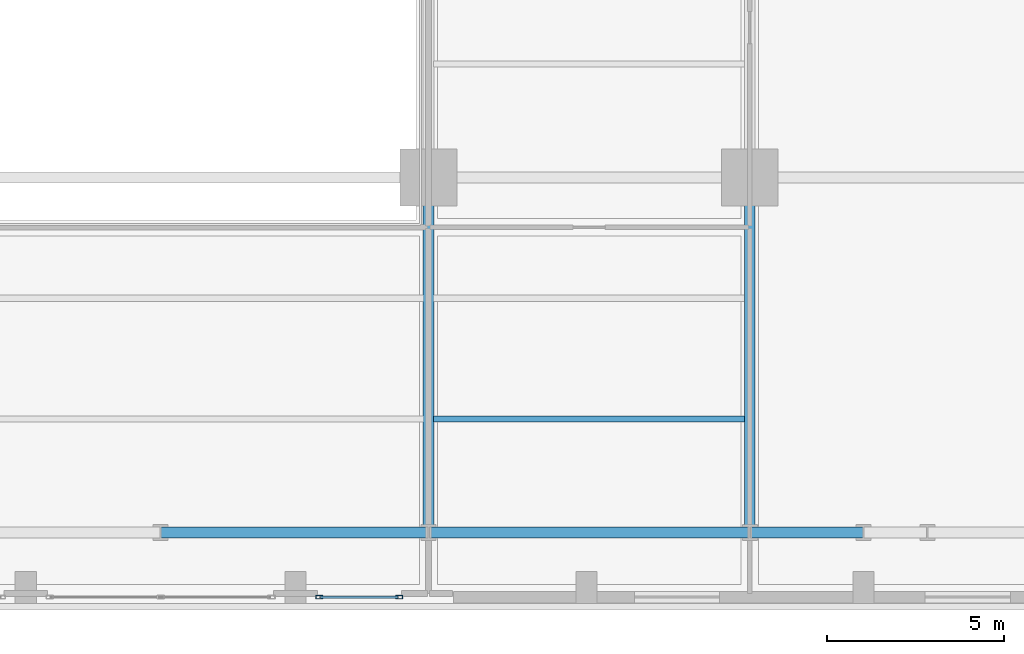
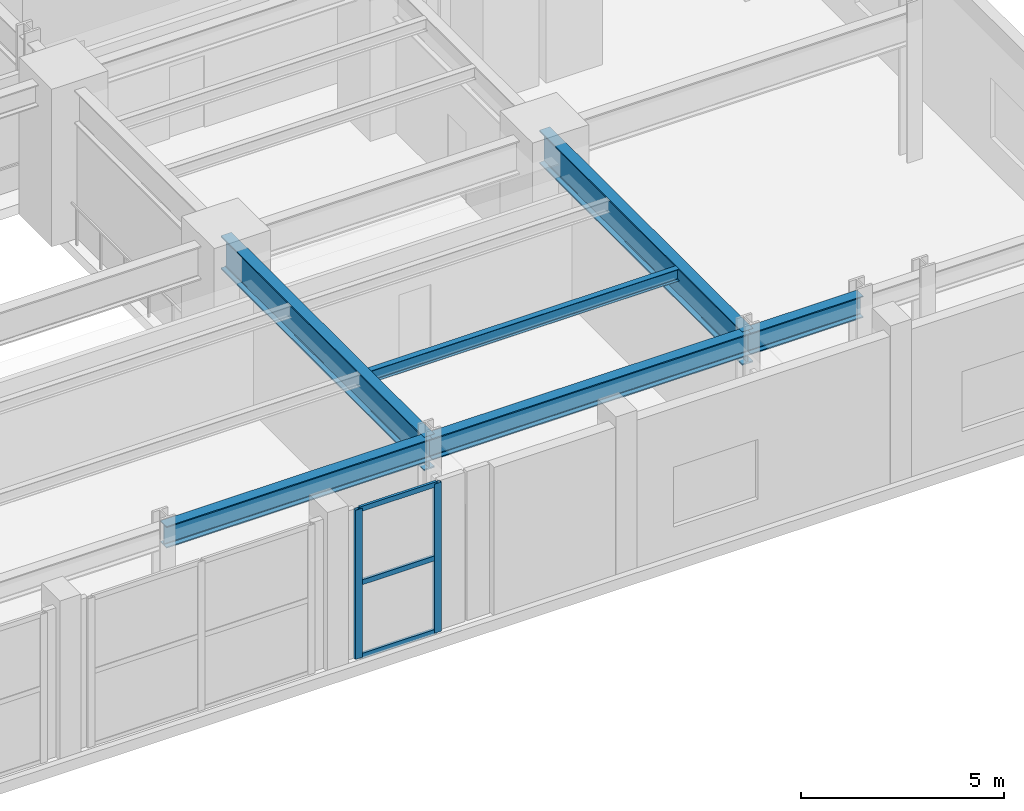
# One storey, part 4 of 15: 6 beams, 5 members, 1 element without a shape of its own.
"""IFC4 building model written with IfcOpenShell, lengths in metres."""

from ifc_helpers import new_model, si_unit, direction, frame, origin, origin_2d, place, context, subcontext, project, spatial, hollow_rectangle, i_section, extrude, material, layer, layer_set, material_profile, profile_set, type_object, element, aggregate, save


model = new_model("IFC4")

# Units and contexts
model_context = context("Model", 3, precision=1e-05, world=origin(), true_north=direction((0.0, 1.0)))
body_context = subcontext(model_context, "Body", "Model", "MODEL_VIEW")
ifc_project = project(units=[si_unit("LENGTHUNIT", "METRE"), si_unit("AREAUNIT", "SQUARE_METRE"), si_unit("VOLUMEUNIT", "CUBIC_METRE"), si_unit("PLANEANGLEUNIT", "RADIAN"), si_unit("MASSUNIT", "GRAM", prefix="KILO")], contexts=[model_context])

# Site, building, storey
site_placement = place(None, origin())
site = spatial("IfcSite", under=ifc_project, at=site_placement, CompositionType="ELEMENT")
building_placement = place(site_placement, origin())
building = spatial("IfcBuilding", under=site, at=building_placement, Name="Zarnavel Station Tower", CompositionType="ELEMENT")
storey_placement = place(building_placement, frame((0.0, 0.0, 24.199951171875)))
storey = spatial("IfcBuildingStorey", under=building, at=storey_placement, Name="L06", CompositionType="ELEMENT", Elevation=24.199951171875)

# Curtain wall, members
ifc_material_1 = material(Name="Aluminium Dark Anodised and Solar-Control Glass", Category="aluminium")
ifc_layer = layer(ifc_material_1, 0.179931640625)
ifc_layer_set = layer_set([ifc_layer], Name="CWS1")
curtain_wall_type = type_object("IfcCurtainWallType", Name="CWS1", PredefinedType="NOTDEFINED", material=ifc_layer_set)
curtain_wall_placement = place(storey_placement, origin())
curtain_wall = element("IfcCurtainWall", 1, at=curtain_wall_placement, inside=storey, type_object=curtain_wall_type, Name="L06 Curtain Wall CWS1-L06-S-S3", PredefinedType="NOTDEFINED")
ifc_material_2 = material(Name="Steel S355J2 (Black Fluoropolymer Coated)", Category="steel")
ifc_material_profile_1 = material_profile(ifc_material_2, hollow_rectangle(XDim=0.10009765625, YDim=0.199951171875, WallThickness=0.008056640625, at=origin_2d()), Name="RHS200x100x8")
ifc_profile_set_1 = profile_set([ifc_material_profile_1], Name="Steel S355J2 (Black Fluoropolymer Coated)")
member_type_1 = type_object("IfcMemberType", Name="CWS1_MUL", PredefinedType="MULLION", material=ifc_profile_set_1)
member_1_placement = place(storey_placement, frame((33.27392578125, 3.780029296875, 0.0), z_axis=(0.0, 0.0, 1.0), x_axis=(0.0, 1.0, 0.0)))
member_1 = element("IfcMember", 2, at=member_1_placement, type_object=member_type_1, Name="CW1 mullion 1", PredefinedType="MULLION", context=body_context, shape_type="SweptSolid", body=[
    extrude(hollow_rectangle(XDim=0.10009765625, YDim=0.199951171875, WallThickness=0.008056640625, at=origin_2d()), origin(), (0.0, 0.0, 1.0), 4.47998046875),
])
member_2_placement = place(storey_placement, frame((35.52001953125, 3.780029296875, 0.0), z_axis=(0.0, 0.0, 1.0), x_axis=(0.0, 1.0, 0.0)))
member_2 = element("IfcMember", 3, at=member_2_placement, type_object=member_type_1, Name="CW1 mullion 2", PredefinedType="MULLION", context=body_context, shape_type="SweptSolid", body=[
    extrude(hollow_rectangle(XDim=0.10009765625, YDim=0.199951171875, WallThickness=0.008056640625, at=origin_2d()), origin(), (0.0, 0.0, 1.0), 4.47998046875),
])
ifc_material_3 = material(Name="Steel S355J2 (Black Fluoropolymer Coated)", Category="steel")
ifc_material_profile_2 = material_profile(ifc_material_3, hollow_rectangle(XDim=0.074951171875, YDim=0.14990234375, WallThickness=0.00634765625, at=origin_2d()), Name="RHS150x75x6.3")
ifc_profile_set_2 = profile_set([ifc_material_profile_2], Name="Steel S355J2 (Black Fluoropolymer Coated)")
member_type_2 = type_object("IfcMemberType", Name="CWS1_TRN", PredefinedType="USERDEFINED", material=ifc_profile_set_2)
member_3_placement = place(storey_placement, frame((33.303955078125, 3.780029296875, 0.030029296875), z_axis=(1.0, 0.0, 0.0), x_axis=(0.0, 1.0, 0.0)))
member_3 = element("IfcMember", 4, at=member_3_placement, type_object=member_type_2, Name="CW1 transom 1.1", ObjectType="TRANSOM", PredefinedType="USERDEFINED", context=body_context, shape_type="SweptSolid", body=[
    extrude(hollow_rectangle(XDim=0.074951171875, YDim=0.14990234375, WallThickness=0.00634765625, at=origin_2d()), origin(), (0.0, 0.0, 1.0), 2.18603515625),
])
member_4_placement = place(storey_placement, frame((33.303955078125, 3.780029296875, 2.239990234375), z_axis=(1.0, 0.0, 0.0), x_axis=(0.0, 1.0, 0.0)))
member_4 = element("IfcMember", 5, at=member_4_placement, type_object=member_type_2, Name="CW1 transom 1.2", ObjectType="TRANSOM", PredefinedType="USERDEFINED", context=body_context, shape_type="SweptSolid", body=[
    extrude(hollow_rectangle(XDim=0.074951171875, YDim=0.14990234375, WallThickness=0.00634765625, at=origin_2d()), origin(), (0.0, 0.0, 1.0), 2.18603515625),
])
member_5_placement = place(storey_placement, frame((33.303955078125, 3.780029296875, 4.449951171875), z_axis=(1.0, 0.0, 0.0), x_axis=(0.0, 1.0, 0.0)))
member_5 = element("IfcMember", 6, at=member_5_placement, type_object=member_type_2, Name="CW1 transom 1.3", ObjectType="TRANSOM", PredefinedType="USERDEFINED", context=body_context, shape_type="SweptSolid", body=[
    extrude(hollow_rectangle(XDim=0.074951171875, YDim=0.14990234375, WallThickness=0.00634765625, at=origin_2d()), origin(), (0.0, 0.0, 1.0), 2.18603515625),
])
aggregate(curtain_wall, [member_1, member_2, member_3, member_4, member_5])

# Beams
ifc_material_4 = material(Name="Steel S355J2", Category="steel")
ifc_material_profile_3 = material_profile(ifc_material_4, i_section(OverallWidth=0.300048828125, OverallDepth=0.64990234375, WebThickness=0.01611328125, FlangeThickness=0.031005859375, FilletRadius=0.027099609375, at=origin_2d()), Name="HEB650")
ifc_profile_set_3 = profile_set([ifc_material_profile_3], Name="Steel S355J2")
beam_type_1 = type_object("IfcBeamType", Name="FG_HEB650", PredefinedType="USERDEFINED", material=ifc_profile_set_3)
beam_1_placement = place(storey_placement, frame((28.800048828125, 5.60009765625, 4.155029296875), z_axis=(1.0, 0.0, 0.0), x_axis=(0.0, 1.0, 0.0)))
element("IfcBeam", 7, at=beam_1_placement, inside=storey, type_object=beam_type_1, Name="L06 EW Frame Girder 1-6", ObjectType="GIRDER", PredefinedType="USERDEFINED", context=body_context, shape_type="SweptSolid", body=[
    extrude(i_section(OverallWidth=0.300048828125, OverallDepth=0.64990234375, WebThickness=0.01611328125, FlangeThickness=0.031005859375, FilletRadius=0.027099609375, at=origin_2d()), origin(), (0.0, 0.0, 1.0), 7.550048828125),
])
beam_2_placement = place(storey_placement, frame((36.35009765625, 5.60009765625, 4.155029296875), z_axis=(1.0, 0.0, 0.0), x_axis=(0.0, 1.0, 0.0)))
element("IfcBeam", 8, at=beam_2_placement, inside=storey, type_object=beam_type_1, Name="L06 EW Frame Girder 1-7", ObjectType="GIRDER", PredefinedType="USERDEFINED", context=body_context, shape_type="SweptSolid", body=[
    extrude(i_section(OverallWidth=0.300048828125, OverallDepth=0.64990234375, WebThickness=0.01611328125, FlangeThickness=0.031005859375, FilletRadius=0.027099609375, at=origin_2d()), origin(), (0.0, 0.0, 1.0), 9.0498046875),
])
beam_3_placement = place(storey_placement, frame((45.39990234375, 5.60009765625, 4.155029296875), z_axis=(1.0, 0.0, 0.0), x_axis=(0.0, 1.0, 0.0)))
element("IfcBeam", 9, at=beam_3_placement, inside=storey, type_object=beam_type_1, Name="L06 EW Frame Girder 1-8", ObjectType="GIRDER", PredefinedType="USERDEFINED", context=body_context, shape_type="SweptSolid", body=[
    extrude(i_section(OverallWidth=0.300048828125, OverallDepth=0.64990234375, WebThickness=0.01611328125, FlangeThickness=0.031005859375, FilletRadius=0.027099609375, at=origin_2d()), origin(), (0.0, 0.0, 1.0), 3.2001953125),
])
ifc_material_5 = material(Name="Steel S355J2", Category="steel")
ifc_material_profile_4 = material_profile(ifc_material_5, i_section(OverallWidth=0.169921875, OverallDepth=0.360107421875, WebThickness=0.008056640625, FlangeThickness=0.0126953125, FilletRadius=0.01806640625, at=origin_2d()), Name="IPE360")
ifc_profile_set_4 = profile_set([ifc_material_profile_4], Name="Steel S355J2")
beam_type_2 = type_object("IfcBeamType", Name="FJ_IPE360", PredefinedType="JOIST", material=ifc_profile_set_4)
beam_4_placement = place(storey_placement, frame((36.4951171875, 8.800048828125, 4.300048828125), z_axis=(1.0, 0.0, 0.0), x_axis=(0.0, 1.0, 0.0)))
element("IfcBeam", 10, at=beam_4_placement, inside=storey, type_object=beam_type_2, Name="L06 Floor Joist E1", PredefinedType="JOIST", context=body_context, shape_type="SweptSolid", body=[
    extrude(i_section(OverallWidth=0.169921875, OverallDepth=0.360107421875, WebThickness=0.008056640625, FlangeThickness=0.0126953125, FilletRadius=0.01806640625, at=origin_2d()), origin(), (0.0, 0.0, 1.0), 8.759765625),
])
ifc_material_6 = material(Name="Steel S460M", Category="steel")
ifc_material_profile_5 = material_profile(ifc_material_6, i_section(OverallWidth=0.302001953125, OverallDepth=1.008056640625, WebThickness=0.02099609375, FlangeThickness=0.0400390625, FilletRadius=0.030029296875, at=origin_2d()), Name="HEM1000")
ifc_profile_set_5 = profile_set([ifc_material_profile_5], Name="Steel S460M")
beam_type_3 = type_object("IfcBeamType", Name="TG_HEM1000", PredefinedType="USERDEFINED", material=ifc_profile_set_5)
for number, where, z_axis, x_axis, name in (
    (11, (36.35009765625, 5.60009765625, 3.97607421875), (0.0, 1.0, 0.0), (-1.0, 0.0, 0.0), "L06 NS Girder South 3"),
    (12, (45.39990234375, 5.60009765625, 3.97607421875), (0.0, 1.0, 0.0), (-1.0, 0.0, 0.0), "L06 NS Girder South 4"),
):
    element("IfcBeam", number, at=place(storey_placement, frame(where, z_axis=z_axis, x_axis=x_axis)), inside=storey, type_object=beam_type_3, Name=name, ObjectType="GIRDER", PredefinedType="USERDEFINED", context=body_context, shape_type="SweptSolid", body=[
        extrude(i_section(OverallWidth=0.302001953125, OverallDepth=1.008056640625, WebThickness=0.02099609375, FlangeThickness=0.0400390625, FilletRadius=0.030029296875, at=origin_2d()), origin(), (0.0, 0.0, 1.0), 10.0),
    ])

save(model, "model.ifc")
